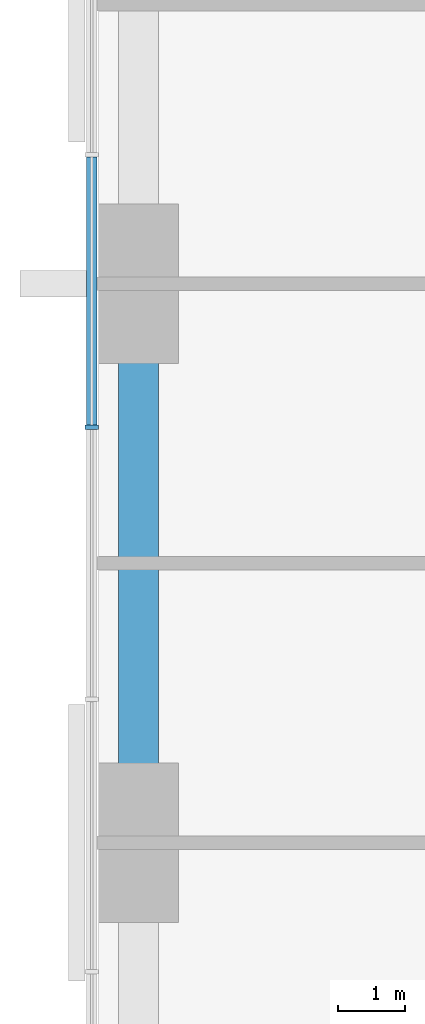
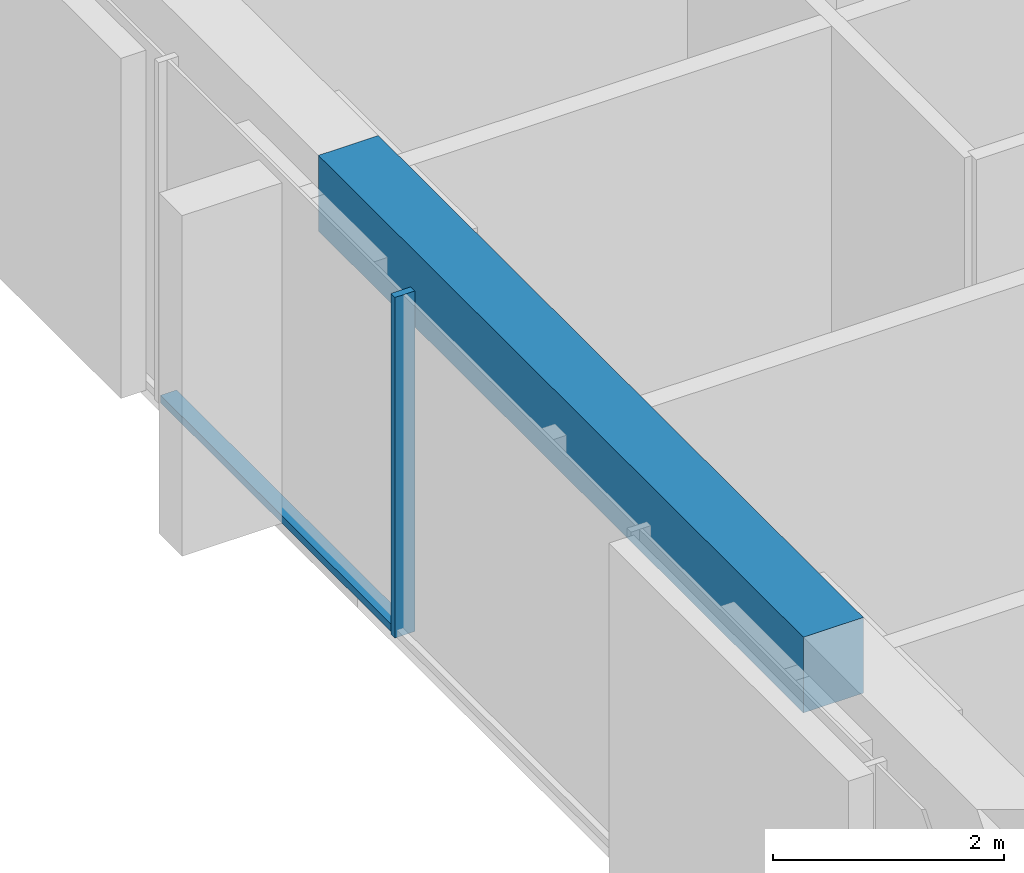
# One storey, part 3 of 13: 2 members, 1 beam, 1 element without a shape of its own.
"""IFC4 building model written with IfcOpenShell, lengths in metres."""

from ifc_helpers import new_model, si_unit, direction, frame, origin, origin_2d, place, context, subcontext, project, spatial, rectangle, extrude, material, material_profile, profile_set, type_object, element, aggregate, save


model = new_model("IFC4")

# Units and contexts
model_context = context("Model", 3, precision=1e-05, world=origin(), true_north=direction((0.0, 1.0)))
body_context = subcontext(model_context, "Body", "Model", "MODEL_VIEW")
ifc_project = project(units=[si_unit("LENGTHUNIT", "METRE"), si_unit("AREAUNIT", "SQUARE_METRE"), si_unit("VOLUMEUNIT", "CUBIC_METRE"), si_unit("PLANEANGLEUNIT", "RADIAN"), si_unit("MASSUNIT", "GRAM", prefix="KILO")], contexts=[model_context])

# Site, building, storey
site_placement = place(None, origin())
site = spatial("IfcSite", under=ifc_project, at=site_placement, CompositionType="ELEMENT")
building_placement = place(site_placement, origin())
building = spatial("IfcBuilding", under=site, at=building_placement, Name="Dunama Terrace Hotel", CompositionType="ELEMENT")
storey_placement = place(building_placement, frame((0.0, 0.0, 166.199951171875)))
storey = spatial("IfcBuildingStorey", under=building, at=storey_placement, Name="L42", CompositionType="ELEMENT", Elevation=166.199951171875)

# Curtain wall, members
ifc_material_1 = material(Name="Aluminium curtain wall system", Category="aluminium")
curtain_wall_type = type_object("IfcCurtainWallType", Name="Unitised fritted glass wall CW-C", PredefinedType="NOTDEFINED", material=ifc_material_1)
curtain_wall_placement = place(storey_placement, origin())
curtain_wall = element("IfcCurtainWall", 1, at=curtain_wall_placement, inside=storey, type_object=curtain_wall_type, Name="Unitised fritted glass wall CW-C L42", PredefinedType="NOTDEFINED")
ifc_material_2 = material(Name="Aluminium mullion", Category="aluminium")
ifc_material_profile_1 = material_profile(ifc_material_2, rectangle(XDim=0.070068359375, YDim=0.199951171875, at=origin_2d()), Name="CWC MULLION 70X200")
ifc_profile_set_1 = profile_set([ifc_material_profile_1], Name="Aluminium mullion")
member_type_1 = type_object("IfcMemberType", Name="CWC mullion 70x200", PredefinedType="MULLION", material=ifc_profile_set_1)
member_1_placement = place(storey_placement, frame((4.10009765625, 31.445068359375, 0.0), z_axis=(0.0, 0.0, 1.0), x_axis=(0.0, -1.0, 0.0)))
member_1 = element("IfcMember", 2, at=member_1_placement, type_object=member_type_1, Name="CWC mullion", PredefinedType="MULLION", context=body_context, shape_type="SweptSolid", body=[
    extrude(rectangle(XDim=0.070068359375, YDim=0.199951171875, at=origin_2d()), origin(), (0.0, 0.0, 1.0), 3.60009765625),
])
ifc_material_3 = material(Name="Aluminium transom", Category="aluminium")
ifc_material_profile_2 = material_profile(ifc_material_3, rectangle(XDim=0.159912109375, YDim=0.080078125, at=origin_2d()), Name="CWC TRANSOM 160X80")
ifc_profile_set_2 = profile_set([ifc_material_profile_2], Name="Aluminium transom")
member_type_2 = type_object("IfcMemberType", Name="CWC transom 160x80", PredefinedType="USERDEFINED", material=ifc_profile_set_2)
member_2_placement = place(storey_placement, frame((4.10009765625, 35.5009765625, 0.0400390625), z_axis=(0.0, -1.0, 0.0), x_axis=(1.0, 0.0, 0.0)))
member_2 = element("IfcMember", 3, at=member_2_placement, type_object=member_type_2, Name="CWC transom", ObjectType="TRANSOM", PredefinedType="USERDEFINED", context=body_context, shape_type="SweptSolid", body=[
    extrude(rectangle(XDim=0.159912109375, YDim=0.080078125, at=origin_2d()), origin(), (0.0, 0.0, 1.0), 4.02099609375),
])
aggregate(curtain_wall, [member_1, member_2])

# Beam
ifc_material_4 = material(Name="Concrete C40/50", Category="concrete")
ifc_material_profile_3 = material_profile(ifc_material_4, rectangle(XDim=0.60009765625, YDim=0.800048828125, at=origin_2d()), Name="RC 600x800")
ifc_profile_set_3 = profile_set([ifc_material_profile_3], Name="Concrete C40/50")
beam_type = type_object("IfcBeamType", Name="Edge beam RC 600x800", PredefinedType="SPANDREL", material=ifc_profile_set_3)
beam_placement = place(storey_placement, frame((4.800048828125, 25.199951171875, 3.199951171875), z_axis=(0.0, 1.0, 0.0), x_axis=(-1.0, 0.0, 0.0)))
element("IfcBeam", 4, at=beam_placement, inside=storey, type_object=beam_type, Name="Edge beam under L43", PredefinedType="SPANDREL", context=body_context, shape_type="SweptSolid", body=[
    extrude(rectangle(XDim=0.60009765625, YDim=0.800048828125, at=origin_2d()), origin(), (0.0, 0.0, 1.0), 8.400146484375),
])

save(model, "model.ifc")
